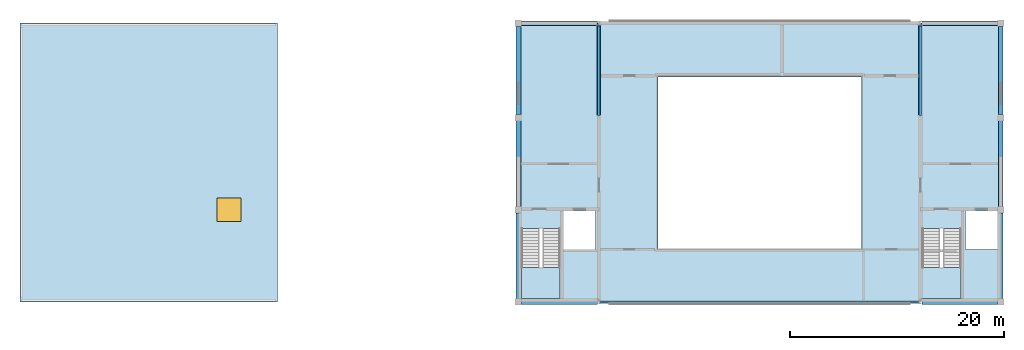
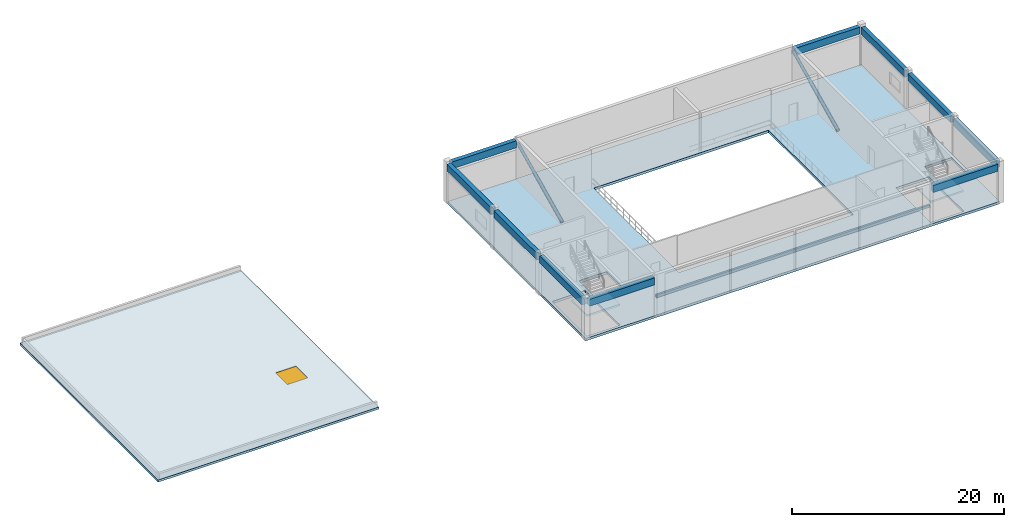
# One storey, part 3 of 9: 10 beams, 4 slabs, 3 members, 1 window, 1 opening, 2 elements without a shape of their own.
"""IFC4 building model written with IfcOpenShell, lengths in metres."""

from ifc_helpers import new_model, si_unit, direction, frame, origin, origin_2d, place, context, subcontext, project, spatial, polyline, rectangle, hollow_rectangle, hollow_circle, outline, extrude, material, layer, layer_set, material_profile, profile_set, type_object, element, fill, aggregate, save


model = new_model("IFC4")

# Units and contexts
model_context = context("Model", 3, precision=1e-05, world=origin(), true_north=direction((0.0, 1.0)))
body_context = subcontext(model_context, "Body", "Model", "MODEL_VIEW")
ifc_project = project(units=[si_unit("LENGTHUNIT", "METRE"), si_unit("AREAUNIT", "SQUARE_METRE"), si_unit("VOLUMEUNIT", "CUBIC_METRE"), si_unit("PLANEANGLEUNIT", "RADIAN"), si_unit("MASSUNIT", "GRAM", prefix="KILO")], contexts=[model_context])

# Site, building, storey
site_placement = place(None, origin())
site = spatial("IfcSite", under=ifc_project, at=site_placement, CompositionType="ELEMENT")
building_placement = place(site_placement, origin())
building = spatial("IfcBuilding", under=site, at=building_placement, Name="Muzn Square Opera House", CompositionType="ELEMENT")
storey_placement = place(building_placement, frame((0.0, 0.0, 23.39990234375)))
storey = spatial("IfcBuildingStorey", under=building, at=storey_placement, Name="L05", CompositionType="ELEMENT", Elevation=23.39990234375)

# Members
ifc_material_1 = material(Name="Steel S355", Category="steel")
ifc_material_profile_1 = material_profile(ifc_material_1, hollow_circle(Radius=0.161865234375, WallThickness=0.01611328125, at=origin_2d()), Name="CHS 323.9x16", Category="steel")
ifc_profile_set_1 = profile_set([ifc_material_profile_1], Name="Steel S355")
member_type_1 = type_object("IfcMemberType", Name="Fly Tower Strut CHS324", PredefinedType="STRUT", material=ifc_profile_set_1)
for number, where, z_axis, x_axis, name in (
    (1, (73.0, 90.02001953125, 0.2001953125), (0.0, 0.902858578607, 0.429937654825), (-1.0, 0.0, 0.0), "Lateral Frame Brace SBRC-03"),
    (2, (103.0, 90.02001953125, 0.2001953125), (0.0, 0.902858578607, 0.429937654825), (-1.0, 0.0, 0.0), "Lateral Frame Brace SBRC-04"),
):
    element("IfcMember", number, at=place(storey_placement, frame(where, z_axis=z_axis, x_axis=x_axis)), inside=storey, type_object=member_type_1, Name=name, PredefinedType="STRUT", context=body_context, shape_type="SweptSolid", body=[
        extrude(hollow_circle(Radius=0.161865234375, WallThickness=0.01611328125, at=origin_2d()), origin(), (0.0, 0.0, 1.0), 9.3037109375),
    ])
ifc_material_profile_2 = material_profile(ifc_material_1, hollow_rectangle(XDim=0.199951171875, YDim=0.300048828125, WallThickness=0.012451171875, at=origin_2d()), Name="RHS 300x200x12.5", Category="steel")
ifc_profile_set_2 = profile_set([ifc_material_profile_2], Name="Steel S355")
member_type_2 = type_object("IfcMemberType", Name="Hollow Truss Chord RHS300x200", PredefinedType="CHORD", material=ifc_profile_set_2)
member_placement = place(storey_placement, frame((73.139892578125, 72.60009765625, 2.2001953125), z_axis=(1.0, 0.0, 0.0), x_axis=(0.0, 1.0, 0.0)))
element("IfcMember", 3, at=member_placement, inside=storey, type_object=member_type_2, Name="Proscenium Acoustic Frame Chord PRCH-03", PredefinedType="CHORD", context=body_context, shape_type="SweptSolid", body=[
    extrude(hollow_rectangle(XDim=0.199951171875, YDim=0.300048828125, WallThickness=0.012451171875, at=origin_2d()), origin(), (0.0, 0.0, 1.0), 29.72021484375),
])

# Beams
ifc_material_2 = material(Name="Concrete C40/50", Category="concrete")
ifc_material_profile_3 = material_profile(ifc_material_2, rectangle(XDim=0.449951171875, YDim=0.800048828125, at=origin_2d()), Name="RCB 450x800", Category="concrete")
ifc_profile_set_3 = profile_set([ifc_material_profile_3], Name="Concrete C40/50")
beam_type = type_object("IfcBeamType", Name="Primary Girder 450x800", PredefinedType="BEAM", material=ifc_profile_set_3)
for number, where, z_axis, x_axis, name in (
    (4, (65.7919921875, 72.60009765625, 4.1201171875), (1.0, 0.0, 0.0), (0.0, 1.0, 0.0), "Primary Girder BM-L05-BM-PG800-658_726_729_726-2748"),
    (5, (103.14208984375, 72.60009765625, 4.1201171875), (1.0, 0.0, 0.0), (0.0, 1.0, 0.0), "Primary Girder BM-L05-BM-PG800-1031_726_1102_726-2749"),
    (6, (65.7919921875, 98.60009765625, 4.1201171875), (1.0, 0.0, 0.0), (0.0, 1.0, 0.0), "Primary Girder BM-L05-BM-PG800-658_986_729_986-2750"),
    (7, (103.14208984375, 98.60009765625, 4.1201171875), (1.0, 0.0, 0.0), (0.0, 1.0, 0.0), "Primary Girder BM-L05-BM-PG800-1031_986_1102_986-2751"),
):
    element("IfcBeam", number, at=place(storey_placement, frame(where, z_axis=z_axis, x_axis=x_axis)), inside=storey, type_object=beam_type, Name=name, PredefinedType="BEAM", context=body_context, shape_type="SweptSolid", body=[
        extrude(rectangle(XDim=0.449951171875, YDim=0.800048828125, at=origin_2d()), origin(), (0.0, 0.0, 1.0), 7.06591796875),
    ])
beam_1_placement = place(storey_placement, frame((65.5, 72.89208984375, 4.1201171875), z_axis=(0.0, 1.0, 0.0), x_axis=(-1.0, 0.0, 0.0)))
element("IfcBeam", 8, at=beam_1_placement, inside=storey, type_object=beam_type, Name="Primary Girder BM-L05-BM-PG800-655_729_655_809-2752", PredefinedType="BEAM", context=body_context, shape_type="SweptSolid", body=[
    extrude(rectangle(XDim=0.449951171875, YDim=0.800048828125, at=origin_2d()), origin(), (0.0, 0.0, 1.0), 8.015869140625),
])
beam_2_placement = place(storey_placement, frame((65.5, 81.491943359375, 4.1201171875), z_axis=(0.0, 1.0, 0.0), x_axis=(-1.0, 0.0, 0.0)))
element("IfcBeam", 9, at=beam_2_placement, inside=storey, type_object=beam_type, Name="Primary Girder BM-L05-BM-PG800-655_815_655_895-2753", PredefinedType="BEAM", context=body_context, shape_type="SweptSolid", body=[
    extrude(rectangle(XDim=0.449951171875, YDim=0.800048828125, at=origin_2d()), origin(), (0.0, 0.0, 1.0), 8.01611328125),
])
beam_3_placement = place(storey_placement, frame((65.5, 90.092041015625, 4.1201171875), z_axis=(0.0, 1.0, 0.0), x_axis=(-1.0, 0.0, 0.0)))
element("IfcBeam", 10, at=beam_3_placement, inside=storey, type_object=beam_type, Name="Primary Girder BM-L05-BM-PG800-655_901_655_983-2754", PredefinedType="BEAM", context=body_context, shape_type="SweptSolid", body=[
    extrude(rectangle(XDim=0.449951171875, YDim=0.800048828125, at=origin_2d()), origin(), (0.0, 0.0, 1.0), 8.216064453125),
])
beam_4_placement = place(storey_placement, frame((110.5, 72.89208984375, 4.1201171875), z_axis=(0.0, 1.0, 0.0), x_axis=(-1.0, 0.0, 0.0)))
element("IfcBeam", 11, at=beam_4_placement, inside=storey, type_object=beam_type, Name="Primary Girder BM-L05-BM-PG800-1105_729_1105_809-2755", PredefinedType="BEAM", context=body_context, shape_type="SweptSolid", body=[
    extrude(rectangle(XDim=0.449951171875, YDim=0.800048828125, at=origin_2d()), origin(), (0.0, 0.0, 1.0), 8.015869140625),
])
beam_5_placement = place(storey_placement, frame((110.5, 81.491943359375, 4.1201171875), z_axis=(0.0, 1.0, 0.0), x_axis=(-1.0, 0.0, 0.0)))
element("IfcBeam", 12, at=beam_5_placement, inside=storey, type_object=beam_type, Name="Primary Girder BM-L05-BM-PG800-1105_815_1105_895-2756", PredefinedType="BEAM", context=body_context, shape_type="SweptSolid", body=[
    extrude(rectangle(XDim=0.449951171875, YDim=0.800048828125, at=origin_2d()), origin(), (0.0, 0.0, 1.0), 8.01611328125),
])
beam_6_placement = place(storey_placement, frame((110.5, 90.092041015625, 4.1201171875), z_axis=(0.0, 1.0, 0.0), x_axis=(-1.0, 0.0, 0.0)))
element("IfcBeam", 13, at=beam_6_placement, inside=storey, type_object=beam_type, Name="Primary Girder BM-L05-BM-PG800-1105_901_1105_983-2757", PredefinedType="BEAM", context=body_context, shape_type="SweptSolid", body=[
    extrude(rectangle(XDim=0.449951171875, YDim=0.800048828125, at=origin_2d()), origin(), (0.0, 0.0, 1.0), 8.216064453125),
])

# Slab
ifc_layer_1 = layer(ifc_material_2, 0.280029296875, Name="Concrete C40/50", Category="concrete")
ifc_layer_set_1 = layer_set([ifc_layer_1], Name="Concrete C40/50")
slab_type_1 = type_object("IfcSlabType", Name="Floor Slab 280mm", PredefinedType="FLOOR", material=ifc_layer_set_1)
slab_1_placement = place(storey_placement, frame((0.0, 0.0, -0.27978515625)))
element("IfcSlab", 14, at=slab_1_placement, inside=storey, type_object=slab_type_1, Name="Floor Slab SLB-L05-FLY", PredefinedType="FLOOR", context=body_context, shape_type="SweptSolid", body=[
    extrude(outline(polyline([(65.5, 72.60009765625), (110.5, 72.60009765625), (110.5, 98.60009765625), (65.5, 98.60009765625), (65.5, 72.60009765625)]), holes=[polyline([(78.5, 77.60009765625), (97.5, 77.60009765625), (97.5, 93.60009765625), (78.5, 93.60009765625), (78.5, 77.60009765625)]), polyline([(65.800048828125, 72.89990234375), (69.39990234375, 72.89990234375), (69.39990234375, 79.431884765625), (65.800048828125, 79.431884765625), (65.800048828125, 72.89990234375)]), polyline([(69.699951171875, 77.5), (72.699951171875, 77.5), (72.699951171875, 81.10009765625), (69.699951171875, 81.10009765625), (69.699951171875, 77.5)]), polyline([(103.169921875, 72.89990234375), (106.77001953125, 72.89990234375), (106.77001953125, 79.431884765625), (103.169921875, 79.431884765625), (103.169921875, 72.89990234375)]), polyline([(107.199951171875, 77.5), (110.199951171875, 77.5), (110.199951171875, 81.10009765625), (107.199951171875, 81.10009765625), (107.199951171875, 77.5)])]), origin(), (0.0, 0.0, 1.0), 0.27978515625),
])

# Slab, opening, window
ifc_layer_2 = layer(ifc_material_2, 0.25, Name="Concrete C40/50", Category="concrete")
ifc_layer_set_2 = layer_set([ifc_layer_2], Name="Concrete C40/50")
slab_type_2 = type_object("IfcSlabType", Name="Roof Slab 250mm", PredefinedType="ROOF", material=ifc_layer_set_2)
slab_2_placement = place(storey_placement, frame((0.0, 0.0, -0.25)))
slab_2 = element("IfcSlab", 15, at=slab_2_placement, inside=storey, type_object=slab_type_2, Name="Flat Roof Slab ROOF-L05-WCORE", PredefinedType="ROOF", context=body_context, shape_type="SweptSolid", body=[
    extrude(outline(polyline([(19.0, 72.60009765625), (43.0, 72.60009765625), (43.0, 98.60009765625), (19.0, 98.60009765625), (19.0, 72.60009765625)])), origin(), (0.0, 0.0, 1.0), 0.25),
])
opening_placement = place(slab_2_placement, frame((38.5, 81.199951171875, -0.010009765625)))
opening = element("IfcOpeningElement", 16, at=opening_placement, cuts=slab_2, Name="Opening SK-2222", PredefinedType="OPENING", context=body_context, shape_type="SweptSolid", body=[
    extrude(rectangle(XDim=2.199951171875, YDim=2.199951171875, at=origin_2d()), origin(), (0.0, 0.0, 1.0), 0.27001953125),
])
ifc_material_3 = material(Name="Low-E laminated acoustic double glazing", Category="glass")
window_type = type_object("IfcWindowType", Name="Roof Skylight 2200x2200", PartitioningType="SINGLE_PANEL", PredefinedType="SKYLIGHT", material=ifc_material_3)
window_placement = place(slab_2_placement, frame((38.5, 81.199951171875, 0.18994140625)))
window = element("IfcWindow", 17, at=window_placement, inside=storey, type_object=window_type, Name="Acoustic Roof Skylight SKY-L05-18", OverallHeight=2.199951171875, OverallWidth=2.199951171875, PartitioningType="SINGLE_PANEL", PredefinedType="SKYLIGHT", context=body_context, shape_type="SweptSolid", body=[
    extrude(rectangle(XDim=2.199951171875, YDim=2.199951171875, at=origin_2d()), origin(), (0.0, 0.0, 1.0), 0.06005859375),
])
fill(opening, window)

# Stair, slab
stair_type = type_object("IfcStairType", Name="Core Escape Dogleg Stair", PredefinedType="HALF_TURN_STAIR", material=ifc_material_2)
stair_1_placement = place(storey_placement, origin())
stair_1 = element("IfcStair", 18, at=stair_1_placement, inside=storey, type_object=stair_type, Name="L05 Escape Stair ST-1", PredefinedType="HALF_TURN_STAIR")
ifc_layer_3 = layer(ifc_material_2, 0.199951171875, Name="Concrete C40/50", Category="concrete")
ifc_layer_set_3 = layer_set([ifc_layer_3], Name="Concrete C40/50")
slab_type_3 = type_object("IfcSlabType", Name="Stair Half Landing 200mm", PredefinedType="LANDING", material=ifc_layer_set_3)
slab_3_placement = place(storey_placement, frame((0.0, 0.0, 2.2001953125)))
slab_3 = element("IfcSlab", 19, at=slab_3_placement, type_object=slab_type_3, Name="ST-1 landing 1", PredefinedType="LANDING", context=body_context, shape_type="SweptSolid", body=[
    extrude(outline(polyline([(65.800048828125, 75.800048828125), (65.800048828125, 72.89990234375), (69.39990234375, 72.89990234375), (69.39990234375, 75.800048828125), (65.800048828125, 75.800048828125)])), origin(), (0.0, 0.0, 1.0), 0.199951171875),
])
aggregate(stair_1, [slab_3])

stair_2_placement = place(storey_placement, origin())
stair_2 = element("IfcStair", 20, at=stair_2_placement, inside=storey, type_object=stair_type, Name="L05 Escape Stair ST-2", PredefinedType="HALF_TURN_STAIR")
slab_4_placement = place(storey_placement, frame((0.0, 0.0, 2.2001953125)))
slab_4 = element("IfcSlab", 21, at=slab_4_placement, type_object=slab_type_3, Name="ST-2 landing 1", PredefinedType="LANDING", context=body_context, shape_type="SweptSolid", body=[
    extrude(outline(polyline([(103.169921875, 75.800048828125), (103.169921875, 72.89990234375), (106.77001953125, 72.89990234375), (106.77001953125, 75.800048828125), (103.169921875, 75.800048828125)])), origin(), (0.0, 0.0, 1.0), 0.199951171875),
])
aggregate(stair_2, [slab_4])

save(model, "model.ifc")
